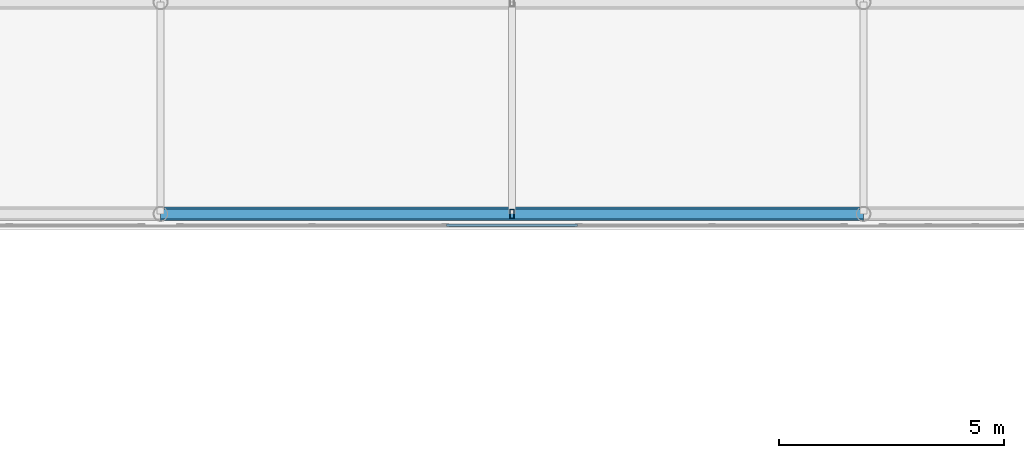
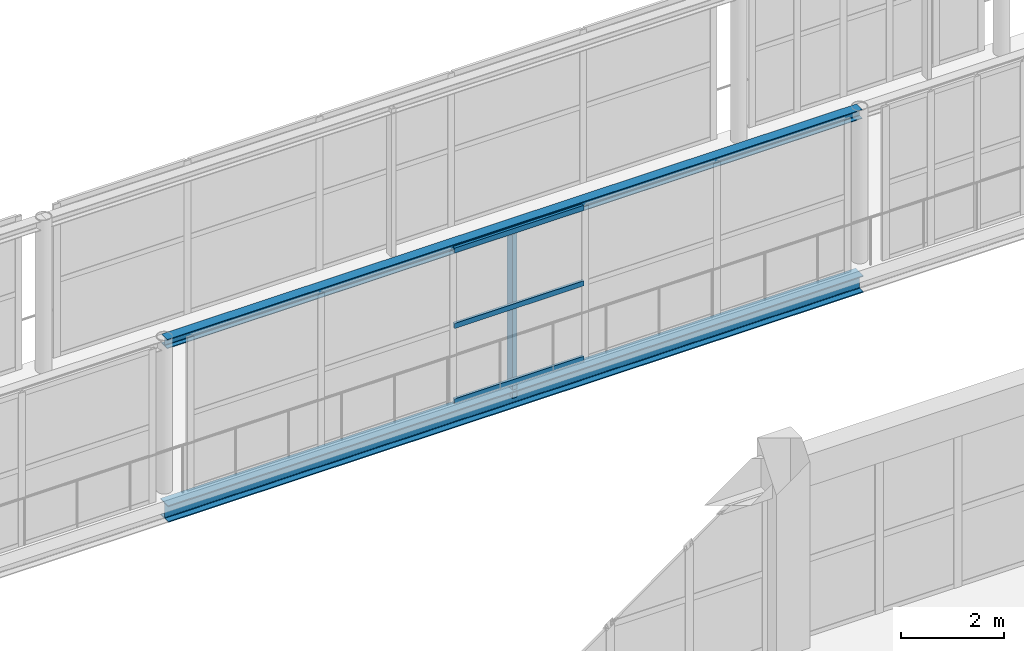
# One storey, part 53 of 175: 5 members, 1 beam, 1 element without a shape of its own.
"""IFC4 building model written with IfcOpenShell, lengths in metres."""

from ifc_helpers import new_model, si_unit, direction, frame, origin, origin_2d, place, context, subcontext, project, spatial, hollow_rectangle, i_section, extrude, material, layer, layer_set, material_profile, profile_set, type_object, element, aggregate, save


model = new_model("IFC4")

# Units and contexts
model_context = context("Model", 3, precision=1e-05, world=origin(), true_north=direction((0.0, 1.0)))
body_context = subcontext(model_context, "Body", "Model", "MODEL_VIEW")
ifc_project = project(units=[si_unit("LENGTHUNIT", "METRE"), si_unit("AREAUNIT", "SQUARE_METRE"), si_unit("VOLUMEUNIT", "CUBIC_METRE"), si_unit("PLANEANGLEUNIT", "RADIAN"), si_unit("MASSUNIT", "GRAM", prefix="KILO")], contexts=[model_context])

# Site, building, storey
site_placement = place(None, origin())
site = spatial("IfcSite", under=ifc_project, at=site_placement, CompositionType="ELEMENT")
building_placement = place(site_placement, origin())
building = spatial("IfcBuilding", under=site, at=building_placement, Name="Zizhar Promenade General Hospital", CompositionType="ELEMENT")
storey_placement = place(building_placement, frame((0.0, 0.0, 4.800048828125)))
storey = spatial("IfcBuildingStorey", under=building, at=storey_placement, Name="L01", CompositionType="ELEMENT", Elevation=4.800048828125)

# Beam
ifc_material_1 = material(Name="Steel S355", Category="steel")
ifc_material_profile_1 = material_profile(ifc_material_1, i_section(OverallWidth=0.300048828125, OverallDepth=0.39990234375, WebThickness=0.013427734375, FlangeThickness=0.02392578125, FilletRadius=0.027099609375, at=origin_2d()))
ifc_profile_set_1 = profile_set([ifc_material_profile_1], Name="Steel S355")
beam_type = type_object("IfcBeamType", Name="BM-STL-HEB400", PredefinedType="BEAM", material=ifc_profile_set_1)
beam_placement = place(storey_placement, frame((101.39990234375, 60.949951171875, -0.5), z_axis=(1.0, 0.0, 0.0), x_axis=(0.0, 1.0, 0.0)))
element("IfcBeam", 1, at=beam_placement, inside=storey, type_object=beam_type, Name="SB-1 Bottom Chord 3S", PredefinedType="BEAM", context=body_context, shape_type="SweptSolid", body=[
    extrude(i_section(OverallWidth=0.300048828125, OverallDepth=0.39990234375, WebThickness=0.013427734375, FlangeThickness=0.02392578125, FilletRadius=0.027099609375, at=origin_2d()), origin(), (0.0, 0.0, 1.0), 15.60009765625),
])

# Curtain wall, members
ifc_material_2 = material(Name="Anodised aluminium 6063-T6 and low-E glass", Category="aluminium")
ifc_layer = layer(ifc_material_2, 0.159912109375)
ifc_layer_set = layer_set([ifc_layer], Name="Anodised aluminium 6063-T6 and low-E glass")
curtain_wall_type = type_object("IfcCurtainWallType", Name="CW-SKY-GLZ", PredefinedType="NOTDEFINED", material=ifc_layer_set)
curtain_wall_placement = place(storey_placement, origin())
curtain_wall = element("IfcCurtainWall", 2, at=curtain_wall_placement, inside=storey, type_object=curtain_wall_type, Name="Courtyard Clinical Skybridge Level L01 South Glazing 3", PredefinedType="NOTDEFINED")
ifc_material_3 = material(Name="Anodised aluminium 6063-T6", Category="aluminium")
ifc_material_profile_2 = material_profile(ifc_material_3, hollow_rectangle(XDim=0.06005859375, YDim=0.1201171875, WallThickness=0.00390625, at=origin_2d()))
ifc_profile_set_2 = profile_set([ifc_material_profile_2], Name="Anodised aluminium 6063-T6")
member_type_1 = type_object("IfcMemberType", Name="CWT-ALU-120x60", PredefinedType="USERDEFINED", material=ifc_profile_set_2)
member_1_placement = place(storey_placement, frame((110.64990234375, 60.699951171875, 0.030029296875), z_axis=(-1.0, 0.0, 0.0), x_axis=(0.0, -1.0, 0.0)))
member_1 = element("IfcMember", 3, at=member_1_placement, type_object=member_type_1, Name="CW-15 transom 3.1", ObjectType="TRANSOM", PredefinedType="USERDEFINED", context=body_context, shape_type="SweptSolid", body=[
    extrude(hollow_rectangle(XDim=0.06005859375, YDim=0.1201171875, WallThickness=0.00390625, at=origin_2d()), origin(), (0.0, 0.0, 1.0), 2.89990234375),
])
member_2_placement = place(storey_placement, frame((110.64990234375, 60.699951171875, 1.820068359375), z_axis=(-1.0, 0.0, 0.0), x_axis=(0.0, -1.0, 0.0)))
member_2 = element("IfcMember", 4, at=member_2_placement, type_object=member_type_1, Name="CW-15 transom 3.2", ObjectType="TRANSOM", PredefinedType="USERDEFINED", context=body_context, shape_type="SweptSolid", body=[
    extrude(hollow_rectangle(XDim=0.06005859375, YDim=0.1201171875, WallThickness=0.00390625, at=origin_2d()), origin(), (0.0, 0.0, 1.0), 2.89990234375),
])
member_3_placement = place(storey_placement, frame((110.64990234375, 60.699951171875, 3.60986328125), z_axis=(-1.0, 0.0, 0.0), x_axis=(0.0, -1.0, 0.0)))
member_3 = element("IfcMember", 5, at=member_3_placement, type_object=member_type_1, Name="CW-15 transom 3.3", ObjectType="TRANSOM", PredefinedType="USERDEFINED", context=body_context, shape_type="SweptSolid", body=[
    extrude(hollow_rectangle(XDim=0.06005859375, YDim=0.1201171875, WallThickness=0.00390625, at=origin_2d()), origin(), (0.0, 0.0, 1.0), 2.89990234375),
])
aggregate(curtain_wall, [member_1, member_2, member_3])

# Members
ifc_material_4 = material(Name="Steel S355", Category="steel")
ifc_material_profile_3 = material_profile(ifc_material_4, i_section(OverallWidth=0.219970703125, OverallDepth=0.219970703125, WebThickness=0.009521484375, FlangeThickness=0.01611328125, FilletRadius=0.01806640625, at=origin_2d()))
ifc_profile_set_3 = profile_set([ifc_material_profile_3], Name="Steel S355")
member_type_2 = type_object("IfcMemberType", Name="MEM-CHORD-HEB220", PredefinedType="CHORD", material=ifc_profile_set_3)
member_4_placement = place(storey_placement, frame((101.39990234375, 60.949951171875, 3.510009765625), z_axis=(1.0, 0.0, 0.0), x_axis=(0.0, 1.0, 0.0)))
element("IfcMember", 6, at=member_4_placement, inside=storey, type_object=member_type_2, Name="SB-1 Top Chord 3S", PredefinedType="CHORD", context=body_context, shape_type="SweptSolid", body=[
    extrude(i_section(OverallWidth=0.219970703125, OverallDepth=0.219970703125, WebThickness=0.009521484375, FlangeThickness=0.01611328125, FilletRadius=0.01806640625, at=origin_2d()), origin(), (0.0, 0.0, 1.0), 15.60009765625),
])
ifc_material_5 = material(Name="Steel S355", Category="steel")
ifc_material_profile_4 = material_profile(ifc_material_5, hollow_rectangle(XDim=0.10009765625, YDim=0.199951171875, WallThickness=0.008056640625, at=origin_2d()))
ifc_profile_set_4 = profile_set([ifc_material_profile_4], Name="Steel S355")
member_type_3 = type_object("IfcMemberType", Name="MEM-STRUT-RHS200", PredefinedType="STRUT", material=ifc_profile_set_4)
member_5_placement = place(storey_placement, frame((109.199951171875, 60.949951171875, -0.5), z_axis=(0.0, 0.0, 1.0), x_axis=(1.0, 0.0, 0.0)))
element("IfcMember", 7, at=member_5_placement, inside=storey, type_object=member_type_3, Name="SB-1 Vierendeel Post 3S", PredefinedType="STRUT", context=body_context, shape_type="SweptSolid", body=[
    extrude(hollow_rectangle(XDim=0.10009765625, YDim=0.199951171875, WallThickness=0.008056640625, at=origin_2d()), origin(), (0.0, 0.0, 1.0), 4.010009765625),
])

save(model, "model.ifc")
